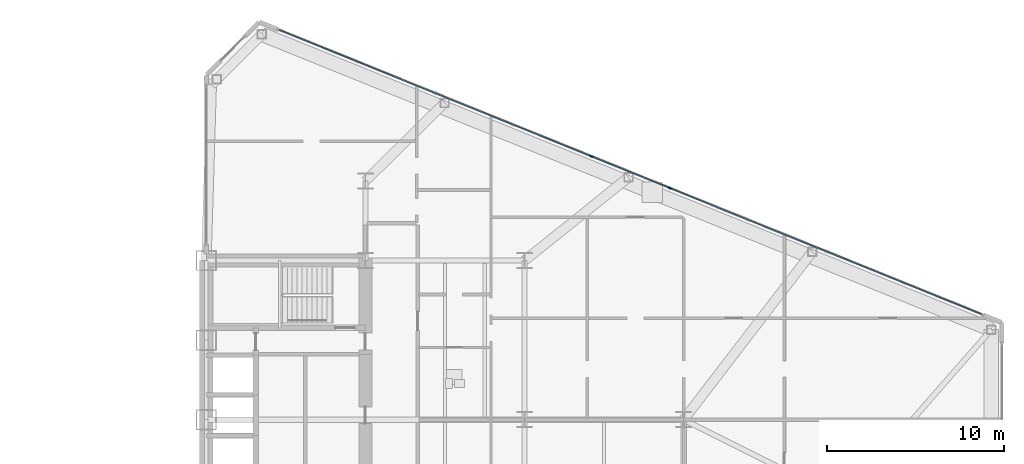
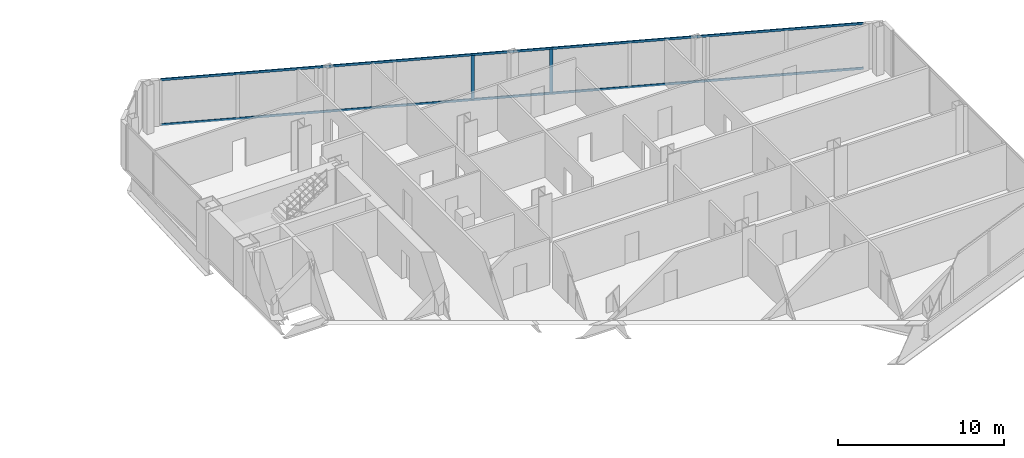
# One storey, part 13 of 26: 4 members, 1 element without a shape of its own.
"""IFC4 building model written with IfcOpenShell, lengths in metres."""

from ifc_helpers import new_model, si_unit, direction, frame, origin, origin_2d, place, context, subcontext, project, spatial, rectangle, extrude, source, transform, mapped, material, layer, layer_set, material_profile, profile_set, type_object, type_shapes, element, aggregate, save


model = new_model("IFC4")

# Units and contexts
model_context = context("Model", 3, precision=1e-05, world=origin(), true_north=direction((0.0, 1.0)))
body_context = subcontext(model_context, "Body", "Model", "MODEL_VIEW")
ifc_project = project(units=[si_unit("LENGTHUNIT", "METRE"), si_unit("AREAUNIT", "SQUARE_METRE"), si_unit("VOLUMEUNIT", "CUBIC_METRE"), si_unit("PLANEANGLEUNIT", "RADIAN"), si_unit("MASSUNIT", "GRAM", prefix="KILO")], contexts=[model_context])

# Site, building, storey
site_placement = place(None, origin())
site = spatial("IfcSite", under=ifc_project, at=site_placement, CompositionType="ELEMENT")
building_placement = place(site_placement, origin())
building = spatial("IfcBuilding", under=site, at=building_placement, Name="Seokmaru Belvedere", CompositionType="ELEMENT")
storey_placement = place(building_placement, frame((0.0, 0.0, 18.89990234375)))
storey = spatial("IfcBuildingStorey", under=building, at=storey_placement, Name="L04", CompositionType="ELEMENT", Elevation=18.89990234375)

# Curtain wall, members
ifc_material_1 = material(Name="Bronze Triple Insulating Glass", Category="glass")
ifc_layer = layer(ifc_material_1, 0.2099609375)
ifc_layer_set = layer_set([ifc_layer], Name="Bronze Triple Insulating Glass")
curtain_wall_type = type_object("IfcCurtainWallType", Name="Low-Rise Faceted Crystal Curtain Wall System CW-2", PredefinedType="NOTDEFINED", material=ifc_layer_set)
curtain_wall_placement = place(storey_placement, origin())
curtain_wall = element("IfcCurtainWall", 1, at=curtain_wall_placement, inside=storey, type_object=curtain_wall_type, Name="L04 Curtain Wall EF3", PredefinedType="NOTDEFINED")
ifc_material_2 = material(Name="Anodised Bronze Aluminium", Category="aluminium")
ifc_material_profile_1 = material_profile(ifc_material_2, rectangle(XDim=0.074951171875, YDim=0.2099609375, at=origin_2d()), Name="CW-M-75x210")
ifc_profile_set_1 = profile_set([ifc_material_profile_1], Name="Anodised Bronze Aluminium")
member_type_1 = type_object("IfcMemberType", Name="Bronze Unitised Mullion 75x210", PredefinedType="MULLION", material=ifc_profile_set_1)
shared_shape_1 = source(origin(), body_context, "Body", "SweptSolid", [
    extrude(rectangle(XDim=0.074951171875, YDim=0.2099609375, at=origin_2d()), origin(), (0.0, 0.0, 1.0), 3.239990234375),
])
type_shapes(member_type_1, [shared_shape_1])
member_1_placement = place(storey_placement, frame((53.71484375, 17.603515625, 0.070068359375), z_axis=(0.0, 0.0, 1.0), x_axis=(-0.375192321888, -0.926946989637, 0.0)))
member_1 = element("IfcMember", 2, at=member_1_placement, type_object=member_type_1, Name="CW:L04:EF3 Mullion 5", PredefinedType="MULLION", context=body_context, shape_type="MappedRepresentation", body=[
    mapped(shared_shape_1, transform((0.0, 0.0, 0.0), scale=1.0)),
])
member_2_placement = place(storey_placement, frame((49.28515625, 19.396484375, 0.070068359375), z_axis=(0.0, 0.0, 1.0), x_axis=(-0.375192321888, -0.926946989637, 0.0)))
member_2 = element("IfcMember", 3, at=member_2_placement, type_object=member_type_1, Name="CW:L04:EF3 Mullion 6", PredefinedType="MULLION", context=body_context, shape_type="MappedRepresentation", body=[
    mapped(shared_shape_1, transform((0.0, 0.0, 0.0), scale=1.0)),
])
ifc_material_profile_2 = material_profile(ifc_material_2, rectangle(XDim=0.070068359375, YDim=0.1650390625, at=origin_2d()), Name="CW-T-70x165")
ifc_profile_set_2 = profile_set([ifc_material_profile_2], Name="Anodised Bronze Aluminium")
member_type_2 = type_object("IfcMemberType", Name="Bronze Unitised Transom 70x165", PredefinedType="USERDEFINED", material=ifc_profile_set_2)
shared_shape_2 = source(origin(), body_context, "Body", "SweptSolid", [
    extrude(rectangle(XDim=0.070068359375, YDim=0.1650390625, at=origin_2d()), origin(), (0.0, 0.0, 1.0), 42.860107421875),
])
type_shapes(member_type_2, [shared_shape_2])
member_3_placement = place(storey_placement, frame((71.364501953125, 10.459716796875, 0.03515625), z_axis=(-0.926948605599, 0.375188329481, 0.0), x_axis=(-0.375188329481, -0.926948605599, 0.0)))
member_3 = element("IfcMember", 4, at=member_3_placement, type_object=member_type_2, Name="CW:L04:EF3 Continuous Transom 1", ObjectType="TRANSOM", PredefinedType="USERDEFINED", context=body_context, shape_type="MappedRepresentation", body=[
    mapped(shared_shape_2, transform((0.0, 0.0, 0.0), scale=1.0)),
])
member_4_placement = place(storey_placement, frame((71.364501953125, 10.459716796875, 3.34521484375), z_axis=(-0.926948605599, 0.375188329481, 0.0), x_axis=(-0.375188329481, -0.926948605599, 0.0)))
member_4 = element("IfcMember", 5, at=member_4_placement, type_object=member_type_2, Name="CW:L04:EF3 Continuous Transom 2", ObjectType="TRANSOM", PredefinedType="USERDEFINED", context=body_context, shape_type="MappedRepresentation", body=[
    mapped(shared_shape_2, transform((0.0, 0.0, 0.0), scale=1.0)),
])
aggregate(curtain_wall, [member_1, member_2, member_3, member_4])

save(model, "model.ifc")
